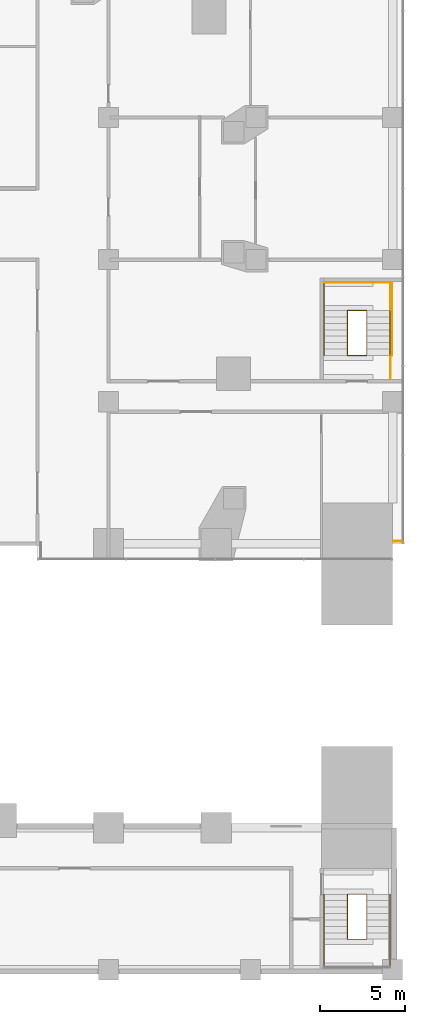
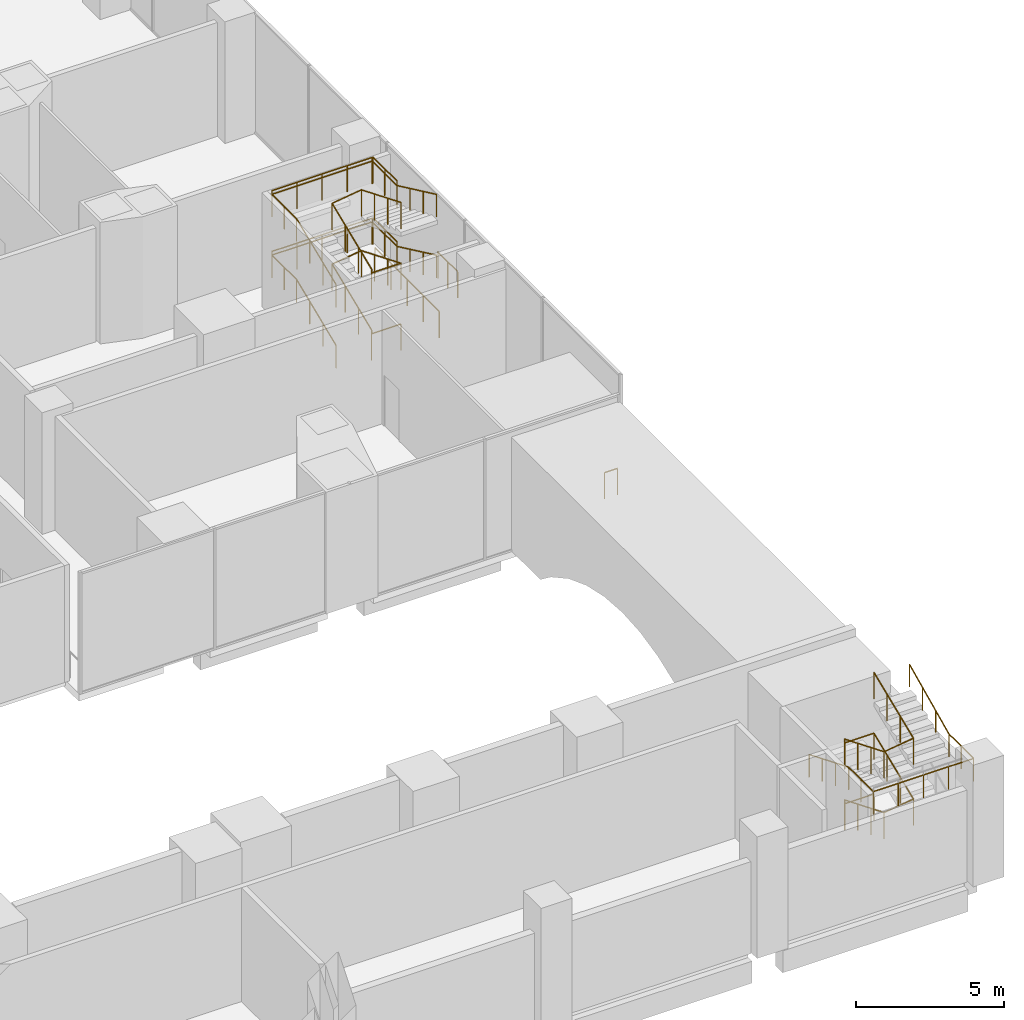
# One storey, part 26 of 28: 14 railings.
"""IFC4 building model written with IfcOpenShell, lengths in metres."""

from ifc_helpers import new_model, si_unit, direction, frame, origin, origin_2d, place, context, subcontext, project, spatial, circle, extrude, material, type_object, element, save


model = new_model("IFC4")

# Units and contexts
model_context = context("Model", 3, precision=1e-05, world=origin(), true_north=direction((0.0, 1.0)))
body_context = subcontext(model_context, "Body", "Model", "MODEL_VIEW")
ifc_project = project(units=[si_unit("LENGTHUNIT", "METRE"), si_unit("AREAUNIT", "SQUARE_METRE"), si_unit("VOLUMEUNIT", "CUBIC_METRE"), si_unit("PLANEANGLEUNIT", "RADIAN"), si_unit("MASSUNIT", "GRAM", prefix="KILO")], contexts=[model_context])

# Site, building, storey
site_placement = place(None, origin())
site = spatial("IfcSite", under=ifc_project, at=site_placement, CompositionType="ELEMENT")
building_placement = place(site_placement, origin())
building = spatial("IfcBuilding", under=site, at=building_placement, Name="Marenta Gate Hotel Tower", CompositionType="ELEMENT")
storey_placement = place(building_placement, frame((0.0, 0.0, 26.0)))
storey = spatial("IfcBuildingStorey", under=building, at=storey_placement, Name="L04", CompositionType="ELEMENT", Elevation=26.0)

# Railings
ifc_material_1 = material(Name="Stainless steel", Category="steel")
railing_type_1 = type_object("IfcRailingType", Name="Core stair handrail 950", PredefinedType="HANDRAIL", material=ifc_material_1)
railing_1_placement = place(storey_placement, frame((33.75, -20.72998046875, 2.65625)))
element("IfcRailing", 1, at=railing_1_placement, inside=storey, type_object=railing_type_1, Name="HR-950 L04-KR-PX2-5", PredefinedType="HANDRAIL", context=body_context, shape_type="SweptSolid", body=[
    extrude(circle(Radius=0.02392578125, at=origin_2d()), frame((0.0, 0.0, 0.92578125), z_axis=(0.0, -0.924862585091, 0.38030145766), x_axis=(1.0, 0.0, 0.0)), (0.0, 0.0, 1.0), 2.8759765625),
    extrude(circle(Radius=0.02392578125, at=origin_2d()), frame((0.0, -2.659912109375, 2.01953125), z_axis=(0.0, -1.0, 0.0), x_axis=(1.0, 0.0, 0.0)), (0.0, 0.0, 1.0), 1.66015625),
    extrude(circle(Radius=0.02392578125, at=origin_2d()), frame((0.0, -4.320068359375, 2.01953125), z_axis=(1.0, 0.0, 0.0), x_axis=(0.0, 1.0, 0.0)), (0.0, 0.0, 1.0), 3.89990234375),
    extrude(circle(Radius=0.02392578125, at=origin_2d()), frame((3.89990234375, -4.320068359375, 2.01953125), z_axis=(0.0, 1.0, 0.0), x_axis=(-1.0, 0.0, 0.0)), (0.0, 0.0, 1.0), 1.66015625),
    extrude(circle(Radius=0.02392578125, at=origin_2d()), frame((3.89990234375, -2.659912109375, 2.01953125), z_axis=(0.0, 0.905044486808, 0.425316913488), x_axis=(-1.0, 0.0, 0.0)), (0.0, 0.0, 1.0), 2.93896484375),
    extrude(circle(Radius=0.02099609375, at=origin_2d()), origin(), (0.0, 0.0, 1.0), 0.90185546875),
    extrude(circle(Radius=0.02099609375, at=origin_2d()), frame((0.0, -0.88671875, 0.364501953125)), (0.0, 0.0, 1.0), 0.90185546875),
    extrude(circle(Radius=0.02099609375, at=origin_2d()), frame((0.0, -1.773193359375, 0.729248046875)), (0.0, 0.0, 1.0), 0.90185546875),
    extrude(circle(Radius=0.02099609375, at=origin_2d()), frame((0.0, -2.659912109375, 1.09375)), (0.0, 0.0, 1.0), 0.90185546875),
    extrude(circle(Radius=0.02099609375, at=origin_2d()), frame((0.0, -3.489990234375, 1.09375)), (0.0, 0.0, 1.0), 0.90185546875),
    extrude(circle(Radius=0.02099609375, at=origin_2d()), frame((0.0, -4.320068359375, 1.09375)), (0.0, 0.0, 1.0), 0.90185546875),
    extrude(circle(Radius=0.02099609375, at=origin_2d()), frame((0.97509765625, -4.320068359375, 1.09375)), (0.0, 0.0, 1.0), 0.90185546875),
    extrude(circle(Radius=0.02099609375, at=origin_2d()), frame((1.949951171875, -4.320068359375, 1.09375)), (0.0, 0.0, 1.0), 0.90185546875),
    extrude(circle(Radius=0.02099609375, at=origin_2d()), frame((2.9248046875, -4.320068359375, 1.09375)), (0.0, 0.0, 1.0), 0.90185546875),
    extrude(circle(Radius=0.02099609375, at=origin_2d()), frame((3.89990234375, -4.320068359375, 1.09375)), (0.0, 0.0, 1.0), 0.90185546875),
    extrude(circle(Radius=0.02099609375, at=origin_2d()), frame((3.89990234375, -3.489990234375, 1.09375)), (0.0, 0.0, 1.0), 0.90185546875),
    extrude(circle(Radius=0.02099609375, at=origin_2d()), frame((3.89990234375, -2.659912109375, 1.09375)), (0.0, 0.0, 1.0), 0.90185546875),
    extrude(circle(Radius=0.02099609375, at=origin_2d()), frame((3.89990234375, -1.773193359375, 1.510498046875)), (0.0, 0.0, 1.0), 0.90185546875),
    extrude(circle(Radius=0.02099609375, at=origin_2d()), frame((3.89990234375, -0.88671875, 1.927001953125)), (0.0, 0.0, 1.0), 0.90185546875),
    extrude(circle(Radius=0.02099609375, at=origin_2d()), frame((3.89990234375, 0.0, 2.34375)), (0.0, 0.0, 1.0), 0.90185546875),
])
railing_2_placement = place(storey_placement, frame((33.75, 11.1298828125, 0.15625)))
element("IfcRailing", 2, at=railing_2_placement, inside=storey, type_object=railing_type_1, Name="HR-950 L04-KR-PX7-2", PredefinedType="HANDRAIL", context=body_context, shape_type="SweptSolid", body=[
    extrude(circle(Radius=0.02392578125, at=origin_2d()), frame((0.0, 0.0, 0.92578125), z_axis=(0.0, 0.924874861033, 0.380271602187), x_axis=(-1.0, 0.0, 0.0)), (0.0, 0.0, 1.0), 2.876220703125),
    extrude(circle(Radius=0.02392578125, at=origin_2d()), frame((0.0, 2.66015625, 2.01953125), z_axis=(0.0, 1.0, 0.0), x_axis=(-1.0, 0.0, 0.0)), (0.0, 0.0, 1.0), 1.659912109375),
    extrude(circle(Radius=0.02392578125, at=origin_2d()), frame((0.0, 4.320068359375, 2.01953125), z_axis=(1.0, 0.0, 0.0), x_axis=(0.0, 1.0, 0.0)), (0.0, 0.0, 1.0), 3.89990234375),
    extrude(circle(Radius=0.02392578125, at=origin_2d()), frame((3.89990234375, 4.320068359375, 2.01953125), z_axis=(0.0, -1.0, 0.0), x_axis=(1.0, 0.0, 0.0)), (0.0, 0.0, 1.0), 1.659912109375),
    extrude(circle(Radius=0.02392578125, at=origin_2d()), frame((3.89990234375, 2.66015625, 2.01953125), z_axis=(0.0, -0.905059511965, 0.425284939543), x_axis=(1.0, 0.0, 0.0)), (0.0, 0.0, 1.0), 2.939208984375),
    extrude(circle(Radius=0.02099609375, at=origin_2d()), origin(), (0.0, 0.0, 1.0), 0.90185546875),
    extrude(circle(Radius=0.02099609375, at=origin_2d()), frame((0.0, 0.88671875, 0.364501953125)), (0.0, 0.0, 1.0), 0.90185546875),
    extrude(circle(Radius=0.02099609375, at=origin_2d()), frame((0.0, 1.7734375, 0.729248046875)), (0.0, 0.0, 1.0), 0.90185546875),
    extrude(circle(Radius=0.02099609375, at=origin_2d()), frame((0.0, 2.66015625, 1.09375)), (0.0, 0.0, 1.0), 0.90185546875),
    extrude(circle(Radius=0.02099609375, at=origin_2d()), frame((0.0, 3.490234375, 1.09375)), (0.0, 0.0, 1.0), 0.90185546875),
    extrude(circle(Radius=0.02099609375, at=origin_2d()), frame((0.0, 4.320068359375, 1.09375)), (0.0, 0.0, 1.0), 0.90185546875),
    extrude(circle(Radius=0.02099609375, at=origin_2d()), frame((0.97509765625, 4.320068359375, 1.09375)), (0.0, 0.0, 1.0), 0.90185546875),
    extrude(circle(Radius=0.02099609375, at=origin_2d()), frame((1.949951171875, 4.320068359375, 1.09375)), (0.0, 0.0, 1.0), 0.90185546875),
    extrude(circle(Radius=0.02099609375, at=origin_2d()), frame((2.9248046875, 4.320068359375, 1.09375)), (0.0, 0.0, 1.0), 0.90185546875),
    extrude(circle(Radius=0.02099609375, at=origin_2d()), frame((3.89990234375, 4.320068359375, 1.09375)), (0.0, 0.0, 1.0), 0.90185546875),
    extrude(circle(Radius=0.02099609375, at=origin_2d()), frame((3.89990234375, 3.490234375, 1.09375)), (0.0, 0.0, 1.0), 0.90185546875),
    extrude(circle(Radius=0.02099609375, at=origin_2d()), frame((3.89990234375, 2.66015625, 1.09375)), (0.0, 0.0, 1.0), 0.90185546875),
    extrude(circle(Radius=0.02099609375, at=origin_2d()), frame((3.89990234375, 1.7734375, 1.510498046875)), (0.0, 0.0, 1.0), 0.90185546875),
    extrude(circle(Radius=0.02099609375, at=origin_2d()), frame((3.89990234375, 0.88671875, 1.927001953125)), (0.0, 0.0, 1.0), 0.90185546875),
    extrude(circle(Radius=0.02099609375, at=origin_2d()), frame((3.89990234375, 0.0, 2.34375)), (0.0, 0.0, 1.0), 0.90185546875),
])
railing_3_placement = place(storey_placement, frame((33.75, 11.1298828125, 2.65625)))
element("IfcRailing", 3, at=railing_3_placement, inside=storey, type_object=railing_type_1, Name="HR-950 L04-KR-PX7-5", PredefinedType="HANDRAIL", context=body_context, shape_type="SweptSolid", body=[
    extrude(circle(Radius=0.02392578125, at=origin_2d()), frame((0.0, 0.0, 0.92578125), z_axis=(0.0, 0.924874861033, 0.380271602187), x_axis=(-1.0, 0.0, 0.0)), (0.0, 0.0, 1.0), 2.876220703125),
    extrude(circle(Radius=0.02392578125, at=origin_2d()), frame((0.0, 2.66015625, 2.01953125), z_axis=(0.0, 1.0, 0.0), x_axis=(-1.0, 0.0, 0.0)), (0.0, 0.0, 1.0), 1.659912109375),
    extrude(circle(Radius=0.02392578125, at=origin_2d()), frame((0.0, 4.320068359375, 2.01953125), z_axis=(1.0, 0.0, 0.0), x_axis=(0.0, 1.0, 0.0)), (0.0, 0.0, 1.0), 3.89990234375),
    extrude(circle(Radius=0.02392578125, at=origin_2d()), frame((3.89990234375, 4.320068359375, 2.01953125), z_axis=(0.0, -1.0, 0.0), x_axis=(1.0, 0.0, 0.0)), (0.0, 0.0, 1.0), 1.659912109375),
    extrude(circle(Radius=0.02392578125, at=origin_2d()), frame((3.89990234375, 2.66015625, 2.01953125), z_axis=(0.0, -0.905059511965, 0.425284939543), x_axis=(1.0, 0.0, 0.0)), (0.0, 0.0, 1.0), 2.939208984375),
    extrude(circle(Radius=0.02099609375, at=origin_2d()), origin(), (0.0, 0.0, 1.0), 0.90185546875),
    extrude(circle(Radius=0.02099609375, at=origin_2d()), frame((0.0, 0.88671875, 0.364501953125)), (0.0, 0.0, 1.0), 0.90185546875),
    extrude(circle(Radius=0.02099609375, at=origin_2d()), frame((0.0, 1.7734375, 0.729248046875)), (0.0, 0.0, 1.0), 0.90185546875),
    extrude(circle(Radius=0.02099609375, at=origin_2d()), frame((0.0, 2.66015625, 1.09375)), (0.0, 0.0, 1.0), 0.90185546875),
    extrude(circle(Radius=0.02099609375, at=origin_2d()), frame((0.0, 3.490234375, 1.09375)), (0.0, 0.0, 1.0), 0.90185546875),
    extrude(circle(Radius=0.02099609375, at=origin_2d()), frame((0.0, 4.320068359375, 1.09375)), (0.0, 0.0, 1.0), 0.90185546875),
    extrude(circle(Radius=0.02099609375, at=origin_2d()), frame((0.97509765625, 4.320068359375, 1.09375)), (0.0, 0.0, 1.0), 0.90185546875),
    extrude(circle(Radius=0.02099609375, at=origin_2d()), frame((1.949951171875, 4.320068359375, 1.09375)), (0.0, 0.0, 1.0), 0.90185546875),
    extrude(circle(Radius=0.02099609375, at=origin_2d()), frame((2.9248046875, 4.320068359375, 1.09375)), (0.0, 0.0, 1.0), 0.90185546875),
    extrude(circle(Radius=0.02099609375, at=origin_2d()), frame((3.89990234375, 4.320068359375, 1.09375)), (0.0, 0.0, 1.0), 0.90185546875),
    extrude(circle(Radius=0.02099609375, at=origin_2d()), frame((3.89990234375, 3.490234375, 1.09375)), (0.0, 0.0, 1.0), 0.90185546875),
    extrude(circle(Radius=0.02099609375, at=origin_2d()), frame((3.89990234375, 2.66015625, 1.09375)), (0.0, 0.0, 1.0), 0.90185546875),
    extrude(circle(Radius=0.02099609375, at=origin_2d()), frame((3.89990234375, 1.7734375, 1.510498046875)), (0.0, 0.0, 1.0), 0.90185546875),
    extrude(circle(Radius=0.02099609375, at=origin_2d()), frame((3.89990234375, 0.88671875, 1.927001953125)), (0.0, 0.0, 1.0), 0.90185546875),
    extrude(circle(Radius=0.02099609375, at=origin_2d()), frame((3.89990234375, 0.0, 2.34375)), (0.0, 0.0, 1.0), 0.90185546875),
])
ifc_material_2 = material(Name="Stainless steel", Category="steel")
railing_type_2 = type_object("IfcRailingType", Name="Core stair well guard 1100", PredefinedType="GUARDRAIL", material=ifc_material_2)
railing_4_placement = place(storey_placement, frame((36.27001953125, -20.72998046875, 0.0)))
element("IfcRailing", 4, at=railing_4_placement, inside=storey, type_object=railing_type_2, Name="GR-1100 L04-KR-PX2-3", PredefinedType="GUARDRAIL", context=body_context, shape_type="SweptSolid", body=[
    extrude(circle(Radius=0.02392578125, at=origin_2d()), frame((0.0, 0.0, 1.076171875), z_axis=(-1.0, 0.0, 0.0), x_axis=(0.0, -1.0, 0.0)), (0.0, 0.0, 1.0), 1.14013671875),
    extrude(circle(Radius=0.02392578125, at=origin_2d()), frame((-1.14013671875, 0.0, 1.076171875), z_axis=(0.0, 0.0, 1.0), x_axis=(1.0, 0.0, 0.0)), (0.0, 0.0, 1.0), 0.15625),
    extrude(circle(Radius=0.02392578125, at=origin_2d()), frame((-1.14013671875, 0.0, 1.232421875), z_axis=(0.0, -0.924862585091, 0.38030145766), x_axis=(1.0, 0.0, 0.0)), (0.0, 0.0, 1.0), 2.8759765625),
    extrude(circle(Radius=0.02392578125, at=origin_2d()), frame((-1.14013671875, -2.659912109375, 2.326171875), z_axis=(0.990739578357, 0.0, 0.135775873693), x_axis=(0.0, 1.0, 0.0)), (0.0, 0.0, 1.0), 1.15087890625),
    extrude(circle(Radius=0.02392578125, at=origin_2d()), frame((0.0, -2.659912109375, 2.482421875), z_axis=(0.0, 0.924862585091, 0.38030145766), x_axis=(-1.0, 0.0, 0.0)), (0.0, 0.0, 1.0), 2.8759765625),
    extrude(circle(Radius=0.02099609375, at=origin_2d()), origin(), (0.0, 0.0, 1.0), 1.052001953125),
    extrude(circle(Radius=0.02099609375, at=origin_2d()), frame((-1.14013671875, 0.0, 0.0)), (0.0, 0.0, 1.0), 1.052001953125),
    extrude(circle(Radius=0.02099609375, at=origin_2d()), frame((-1.14013671875, 0.0, 0.15625)), (0.0, 0.0, 1.0), 1.052001953125),
    extrude(circle(Radius=0.02099609375, at=origin_2d()), frame((-1.14013671875, -0.88671875, 0.520751953125)), (0.0, 0.0, 1.0), 1.052001953125),
    extrude(circle(Radius=0.02099609375, at=origin_2d()), frame((-1.14013671875, -1.773193359375, 0.885498046875)), (0.0, 0.0, 1.0), 1.052001953125),
    extrude(circle(Radius=0.02099609375, at=origin_2d()), frame((-1.14013671875, -2.659912109375, 1.25)), (0.0, 0.0, 1.0), 1.052001953125),
    extrude(circle(Radius=0.02099609375, at=origin_2d()), frame((0.0, -2.659912109375, 1.40625)), (0.0, 0.0, 1.0), 1.052001953125),
    extrude(circle(Radius=0.02099609375, at=origin_2d()), frame((0.0, -1.773193359375, 1.770751953125)), (0.0, 0.0, 1.0), 1.052001953125),
    extrude(circle(Radius=0.02099609375, at=origin_2d()), frame((0.0, -0.88671875, 2.135498046875)), (0.0, 0.0, 1.0), 1.052001953125),
    extrude(circle(Radius=0.02099609375, at=origin_2d()), frame((0.0, 0.0, 2.5)), (0.0, 0.0, 1.0), 1.052001953125),
])
railing_5_placement = place(storey_placement, frame((36.27001953125, -20.72998046875, 2.5)))
element("IfcRailing", 5, at=railing_5_placement, inside=storey, type_object=railing_type_2, Name="GR-1100 L04-KR-PX2-6", PredefinedType="GUARDRAIL", context=body_context, shape_type="SweptSolid", body=[
    extrude(circle(Radius=0.02392578125, at=origin_2d()), frame((0.0, 0.0, 1.076171875), z_axis=(-1.0, 0.0, 0.0), x_axis=(0.0, -1.0, 0.0)), (0.0, 0.0, 1.0), 1.14013671875),
    extrude(circle(Radius=0.02392578125, at=origin_2d()), frame((-1.14013671875, 0.0, 1.076171875), z_axis=(0.0, 0.0, 1.0), x_axis=(1.0, 0.0, 0.0)), (0.0, 0.0, 1.0), 0.15625),
    extrude(circle(Radius=0.02392578125, at=origin_2d()), frame((-1.14013671875, 0.0, 1.232421875), z_axis=(0.0, -0.924862585091, 0.38030145766), x_axis=(1.0, 0.0, 0.0)), (0.0, 0.0, 1.0), 2.8759765625),
    extrude(circle(Radius=0.02392578125, at=origin_2d()), frame((-1.14013671875, -2.659912109375, 2.326171875), z_axis=(0.990739578357, 0.0, 0.135775873693), x_axis=(0.0, 1.0, 0.0)), (0.0, 0.0, 1.0), 1.15087890625),
    extrude(circle(Radius=0.02392578125, at=origin_2d()), frame((0.0, -2.659912109375, 2.482421875), z_axis=(0.0, 0.924862585091, 0.38030145766), x_axis=(-1.0, 0.0, 0.0)), (0.0, 0.0, 1.0), 2.8759765625),
    extrude(circle(Radius=0.02099609375, at=origin_2d()), origin(), (0.0, 0.0, 1.0), 1.052001953125),
    extrude(circle(Radius=0.02099609375, at=origin_2d()), frame((-1.14013671875, 0.0, 0.0)), (0.0, 0.0, 1.0), 1.052001953125),
    extrude(circle(Radius=0.02099609375, at=origin_2d()), frame((-1.14013671875, 0.0, 0.15625)), (0.0, 0.0, 1.0), 1.052001953125),
    extrude(circle(Radius=0.02099609375, at=origin_2d()), frame((-1.14013671875, -0.88671875, 0.520751953125)), (0.0, 0.0, 1.0), 1.052001953125),
    extrude(circle(Radius=0.02099609375, at=origin_2d()), frame((-1.14013671875, -1.773193359375, 0.885498046875)), (0.0, 0.0, 1.0), 1.052001953125),
    extrude(circle(Radius=0.02099609375, at=origin_2d()), frame((-1.14013671875, -2.659912109375, 1.25)), (0.0, 0.0, 1.0), 1.052001953125),
    extrude(circle(Radius=0.02099609375, at=origin_2d()), frame((0.0, -2.659912109375, 1.40625)), (0.0, 0.0, 1.0), 1.052001953125),
    extrude(circle(Radius=0.02099609375, at=origin_2d()), frame((0.0, -1.773193359375, 1.770751953125)), (0.0, 0.0, 1.0), 1.052001953125),
    extrude(circle(Radius=0.02099609375, at=origin_2d()), frame((0.0, -0.88671875, 2.135498046875)), (0.0, 0.0, 1.0), 1.052001953125),
    extrude(circle(Radius=0.02099609375, at=origin_2d()), frame((0.0, 0.0, 2.5)), (0.0, 0.0, 1.0), 1.052001953125),
])
railing_6_placement = place(storey_placement, frame((33.75, 15.449951171875, 1.25)))
element("IfcRailing", 6, at=railing_6_placement, inside=storey, type_object=railing_type_2, Name="GR-1100 L04-KR-PX7-1", PredefinedType="GUARDRAIL", context=body_context, shape_type="SweptSolid", body=[
    extrude(circle(Radius=0.02392578125, at=origin_2d()), frame((0.0, 0.0, 1.076171875), z_axis=(1.0, 0.0, 0.0), x_axis=(0.0, 1.0, 0.0)), (0.0, 0.0, 1.0), 3.89990234375),
    extrude(circle(Radius=0.02099609375, at=origin_2d()), origin(), (0.0, 0.0, 1.0), 1.052001953125),
    extrude(circle(Radius=0.02099609375, at=origin_2d()), frame((0.97509765625, 0.0, 0.0)), (0.0, 0.0, 1.0), 1.052001953125),
    extrude(circle(Radius=0.02099609375, at=origin_2d()), frame((1.949951171875, 0.0, 0.0)), (0.0, 0.0, 1.0), 1.052001953125),
    extrude(circle(Radius=0.02099609375, at=origin_2d()), frame((2.9248046875, 0.0, 0.0)), (0.0, 0.0, 1.0), 1.052001953125),
    extrude(circle(Radius=0.02099609375, at=origin_2d()), frame((3.89990234375, 0.0, 0.0)), (0.0, 0.0, 1.0), 1.052001953125),
])
railing_7_placement = place(storey_placement, frame((36.27001953125, 11.1298828125, 0.0)))
element("IfcRailing", 7, at=railing_7_placement, inside=storey, type_object=railing_type_2, Name="GR-1100 L04-KR-PX7-3", PredefinedType="GUARDRAIL", context=body_context, shape_type="SweptSolid", body=[
    extrude(circle(Radius=0.02392578125, at=origin_2d()), frame((0.0, 0.0, 1.076171875), z_axis=(-1.0, 0.0, 0.0), x_axis=(0.0, -1.0, 0.0)), (0.0, 0.0, 1.0), 1.14013671875),
    extrude(circle(Radius=0.02392578125, at=origin_2d()), frame((-1.14013671875, 0.0, 1.076171875), z_axis=(0.0, 0.0, 1.0), x_axis=(1.0, 0.0, 0.0)), (0.0, 0.0, 1.0), 0.15625),
    extrude(circle(Radius=0.02392578125, at=origin_2d()), frame((-1.14013671875, 0.0, 1.232421875), z_axis=(0.0, 0.924874861033, 0.380271602187), x_axis=(-1.0, 0.0, 0.0)), (0.0, 0.0, 1.0), 2.876220703125),
    extrude(circle(Radius=0.02392578125, at=origin_2d()), frame((-1.14013671875, 2.66015625, 2.326171875), z_axis=(0.990739578357, 0.0, 0.135775873693), x_axis=(0.0, 1.0, 0.0)), (0.0, 0.0, 1.0), 1.15087890625),
    extrude(circle(Radius=0.02392578125, at=origin_2d()), frame((0.0, 2.66015625, 2.482421875), z_axis=(0.0, -0.924874861033, 0.380271602187), x_axis=(1.0, 0.0, 0.0)), (0.0, 0.0, 1.0), 2.876220703125),
    extrude(circle(Radius=0.02099609375, at=origin_2d()), origin(), (0.0, 0.0, 1.0), 1.052001953125),
    extrude(circle(Radius=0.02099609375, at=origin_2d()), frame((-1.14013671875, 0.0, 0.0)), (0.0, 0.0, 1.0), 1.052001953125),
    extrude(circle(Radius=0.02099609375, at=origin_2d()), frame((-1.14013671875, 0.0, 0.15625)), (0.0, 0.0, 1.0), 1.052001953125),
    extrude(circle(Radius=0.02099609375, at=origin_2d()), frame((-1.14013671875, 0.88671875, 0.520751953125)), (0.0, 0.0, 1.0), 1.052001953125),
    extrude(circle(Radius=0.02099609375, at=origin_2d()), frame((-1.14013671875, 1.7734375, 0.885498046875)), (0.0, 0.0, 1.0), 1.052001953125),
    extrude(circle(Radius=0.02099609375, at=origin_2d()), frame((-1.14013671875, 2.66015625, 1.25)), (0.0, 0.0, 1.0), 1.052001953125),
    extrude(circle(Radius=0.02099609375, at=origin_2d()), frame((0.0, 2.66015625, 1.40625)), (0.0, 0.0, 1.0), 1.052001953125),
    extrude(circle(Radius=0.02099609375, at=origin_2d()), frame((0.0, 1.7734375, 1.770751953125)), (0.0, 0.0, 1.0), 1.052001953125),
    extrude(circle(Radius=0.02099609375, at=origin_2d()), frame((0.0, 0.88671875, 2.135498046875)), (0.0, 0.0, 1.0), 1.052001953125),
    extrude(circle(Radius=0.02099609375, at=origin_2d()), frame((0.0, 0.0, 2.5)), (0.0, 0.0, 1.0), 1.052001953125),
])
railing_8_placement = place(storey_placement, frame((33.75, 15.449951171875, 3.75)))
element("IfcRailing", 8, at=railing_8_placement, inside=storey, type_object=railing_type_2, Name="GR-1100 L04-KR-PX7-4", PredefinedType="GUARDRAIL", context=body_context, shape_type="SweptSolid", body=[
    extrude(circle(Radius=0.02392578125, at=origin_2d()), frame((0.0, 0.0, 1.076171875), z_axis=(1.0, 0.0, 0.0), x_axis=(0.0, 1.0, 0.0)), (0.0, 0.0, 1.0), 3.89990234375),
    extrude(circle(Radius=0.02099609375, at=origin_2d()), origin(), (0.0, 0.0, 1.0), 1.052001953125),
    extrude(circle(Radius=0.02099609375, at=origin_2d()), frame((0.97509765625, 0.0, 0.0)), (0.0, 0.0, 1.0), 1.052001953125),
    extrude(circle(Radius=0.02099609375, at=origin_2d()), frame((1.949951171875, 0.0, 0.0)), (0.0, 0.0, 1.0), 1.052001953125),
    extrude(circle(Radius=0.02099609375, at=origin_2d()), frame((2.9248046875, 0.0, 0.0)), (0.0, 0.0, 1.0), 1.052001953125),
    extrude(circle(Radius=0.02099609375, at=origin_2d()), frame((3.89990234375, 0.0, 0.0)), (0.0, 0.0, 1.0), 1.052001953125),
])
railing_9_placement = place(storey_placement, frame((36.27001953125, 11.1298828125, 2.5)))
element("IfcRailing", 9, at=railing_9_placement, inside=storey, type_object=railing_type_2, Name="GR-1100 L04-KR-PX7-6", PredefinedType="GUARDRAIL", context=body_context, shape_type="SweptSolid", body=[
    extrude(circle(Radius=0.02392578125, at=origin_2d()), frame((0.0, 0.0, 1.076171875), z_axis=(-1.0, 0.0, 0.0), x_axis=(0.0, -1.0, 0.0)), (0.0, 0.0, 1.0), 1.14013671875),
    extrude(circle(Radius=0.02392578125, at=origin_2d()), frame((-1.14013671875, 0.0, 1.076171875), z_axis=(0.0, 0.0, 1.0), x_axis=(1.0, 0.0, 0.0)), (0.0, 0.0, 1.0), 0.15625),
    extrude(circle(Radius=0.02392578125, at=origin_2d()), frame((-1.14013671875, 0.0, 1.232421875), z_axis=(0.0, 0.924874861033, 0.380271602187), x_axis=(-1.0, 0.0, 0.0)), (0.0, 0.0, 1.0), 2.876220703125),
    extrude(circle(Radius=0.02392578125, at=origin_2d()), frame((-1.14013671875, 2.66015625, 2.326171875), z_axis=(0.990739578357, 0.0, 0.135775873693), x_axis=(0.0, 1.0, 0.0)), (0.0, 0.0, 1.0), 1.15087890625),
    extrude(circle(Radius=0.02392578125, at=origin_2d()), frame((0.0, 2.66015625, 2.482421875), z_axis=(0.0, -0.924874861033, 0.380271602187), x_axis=(1.0, 0.0, 0.0)), (0.0, 0.0, 1.0), 2.876220703125),
    extrude(circle(Radius=0.02099609375, at=origin_2d()), origin(), (0.0, 0.0, 1.0), 1.052001953125),
    extrude(circle(Radius=0.02099609375, at=origin_2d()), frame((-1.14013671875, 0.0, 0.0)), (0.0, 0.0, 1.0), 1.052001953125),
    extrude(circle(Radius=0.02099609375, at=origin_2d()), frame((-1.14013671875, 0.0, 0.15625)), (0.0, 0.0, 1.0), 1.052001953125),
    extrude(circle(Radius=0.02099609375, at=origin_2d()), frame((-1.14013671875, 0.88671875, 0.520751953125)), (0.0, 0.0, 1.0), 1.052001953125),
    extrude(circle(Radius=0.02099609375, at=origin_2d()), frame((-1.14013671875, 1.7734375, 0.885498046875)), (0.0, 0.0, 1.0), 1.052001953125),
    extrude(circle(Radius=0.02099609375, at=origin_2d()), frame((-1.14013671875, 2.66015625, 1.25)), (0.0, 0.0, 1.0), 1.052001953125),
    extrude(circle(Radius=0.02099609375, at=origin_2d()), frame((0.0, 2.66015625, 1.40625)), (0.0, 0.0, 1.0), 1.052001953125),
    extrude(circle(Radius=0.02099609375, at=origin_2d()), frame((0.0, 1.7734375, 1.770751953125)), (0.0, 0.0, 1.0), 1.052001953125),
    extrude(circle(Radius=0.02099609375, at=origin_2d()), frame((0.0, 0.88671875, 2.135498046875)), (0.0, 0.0, 1.0), 1.052001953125),
    extrude(circle(Radius=0.02099609375, at=origin_2d()), frame((0.0, 0.0, 2.5)), (0.0, 0.0, 1.0), 1.052001953125),
])
railing_10_placement = place(storey_placement, frame((37.679931640625, 13.840087890625, 1.25)))
element("IfcRailing", 10, at=railing_10_placement, inside=storey, type_object=railing_type_2, Name="GR-1100 L04-KR-PX7-7", PredefinedType="GUARDRAIL", context=body_context, shape_type="SweptSolid", body=[
    extrude(circle(Radius=0.02392578125, at=origin_2d()), frame((0.0, 0.0, 1.076171875), z_axis=(0.0, 1.0, 0.0), x_axis=(-1.0, 0.0, 0.0)), (0.0, 0.0, 1.0), 1.60986328125),
    extrude(circle(Radius=0.02099609375, at=origin_2d()), origin(), (0.0, 0.0, 1.0), 1.052001953125),
    extrude(circle(Radius=0.02099609375, at=origin_2d()), frame((0.0, 0.804931640625, 0.0)), (0.0, 0.0, 1.0), 1.052001953125),
    extrude(circle(Radius=0.02099609375, at=origin_2d()), frame((0.0, 1.60986328125, 0.0)), (0.0, 0.0, 1.0), 1.052001953125),
])
railing_11_placement = place(storey_placement, frame((37.679931640625, 9.75, 2.5)))
element("IfcRailing", 11, at=railing_11_placement, inside=storey, type_object=railing_type_2, Name="GR-1100 L04-KR-PX7-8", PredefinedType="GUARDRAIL", context=body_context, shape_type="SweptSolid", body=[
    extrude(circle(Radius=0.02392578125, at=origin_2d()), frame((0.0, 0.0, 1.076171875), z_axis=(0.0, 1.0, 0.0), x_axis=(-1.0, 0.0, 0.0)), (0.0, 0.0, 1.0), 1.330078125),
    extrude(circle(Radius=0.02099609375, at=origin_2d()), origin(), (0.0, 0.0, 1.0), 1.052001953125),
    extrude(circle(Radius=0.02099609375, at=origin_2d()), frame((0.0, 0.6650390625, 0.0)), (0.0, 0.0, 1.0), 1.052001953125),
    extrude(circle(Radius=0.02099609375, at=origin_2d()), frame((0.0, 1.330078125, 0.0)), (0.0, 0.0, 1.0), 1.052001953125),
])
railing_12_placement = place(storey_placement, frame((37.679931640625, 13.840087890625, 3.75)))
element("IfcRailing", 12, at=railing_12_placement, inside=storey, type_object=railing_type_2, Name="GR-1100 L04-KR-PX7-9", PredefinedType="GUARDRAIL", context=body_context, shape_type="SweptSolid", body=[
    extrude(circle(Radius=0.02392578125, at=origin_2d()), frame((0.0, 0.0, 1.076171875), z_axis=(0.0, 1.0, 0.0), x_axis=(-1.0, 0.0, 0.0)), (0.0, 0.0, 1.0), 1.60986328125),
    extrude(circle(Radius=0.02099609375, at=origin_2d()), origin(), (0.0, 0.0, 1.0), 1.052001953125),
    extrude(circle(Radius=0.02099609375, at=origin_2d()), frame((0.0, 0.804931640625, 0.0)), (0.0, 0.0, 1.0), 1.052001953125),
    extrude(circle(Radius=0.02099609375, at=origin_2d()), frame((0.0, 1.60986328125, 0.0)), (0.0, 0.0, 1.0), 1.052001953125),
])
ifc_material_3 = material(Name="Stainless steel", Category="steel")
railing_type_3 = type_object("IfcRailingType", Name="Slab edge guard 1100", PredefinedType="GUARDRAIL", material=ifc_material_3)
railing_13_placement = place(storey_placement, frame((37.85009765625, 0.14990234375, 0.0)))
element("IfcRailing", 13, at=railing_13_placement, inside=storey, type_object=railing_type_3, Name="GR-1100E L04-PGD-CE", PredefinedType="GUARDRAIL", context=body_context, shape_type="SweptSolid", body=[
    extrude(circle(Radius=0.02392578125, at=origin_2d()), frame((0.0, 0.0, 1.076171875), z_axis=(1.0, 0.0, 0.0), x_axis=(0.0, 1.0, 0.0)), (0.0, 0.0, 1.0), 0.5),
    extrude(circle(Radius=0.02099609375, at=origin_2d()), origin(), (0.0, 0.0, 1.0), 1.052001953125),
    extrude(circle(Radius=0.02099609375, at=origin_2d()), frame((0.5, 0.0, 0.0)), (0.0, 0.0, 1.0), 1.052001953125),
])
railing_14_placement = place(storey_placement, frame((37.760009765625, 11.1298828125, 0.0)))
element("IfcRailing", 14, at=railing_14_placement, inside=storey, type_object=railing_type_3, Name="GR-1100E L04-PGS-PX7-4", PredefinedType="GUARDRAIL", context=body_context, shape_type="SweptSolid", body=[
    extrude(circle(Radius=0.02392578125, at=origin_2d()), frame((0.0, 0.0, 1.076171875), z_axis=(0.0, 1.0, 0.0), x_axis=(-1.0, 0.0, 0.0)), (0.0, 0.0, 1.0), 4.320068359375),
    extrude(circle(Radius=0.02099609375, at=origin_2d()), origin(), (0.0, 0.0, 1.0), 1.052001953125),
    extrude(circle(Radius=0.02099609375, at=origin_2d()), frame((0.0, 1.080078125, 0.0)), (0.0, 0.0, 1.0), 1.052001953125),
    extrude(circle(Radius=0.02099609375, at=origin_2d()), frame((0.0, 2.16015625, 0.0)), (0.0, 0.0, 1.0), 1.052001953125),
    extrude(circle(Radius=0.02099609375, at=origin_2d()), frame((0.0, 3.239990234375, 0.0)), (0.0, 0.0, 1.0), 1.052001953125),
    extrude(circle(Radius=0.02099609375, at=origin_2d()), frame((0.0, 4.320068359375, 0.0)), (0.0, 0.0, 1.0), 1.052001953125),
])

save(model, "model.ifc")
